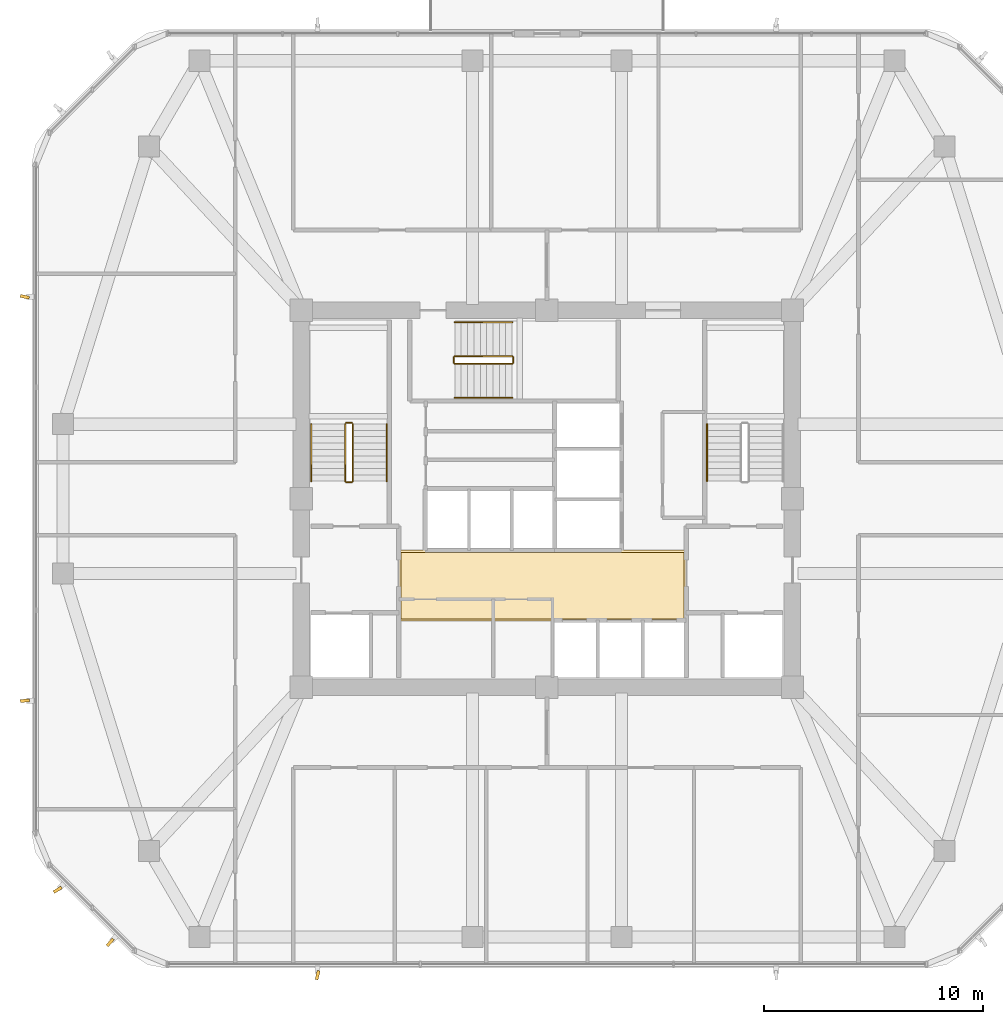
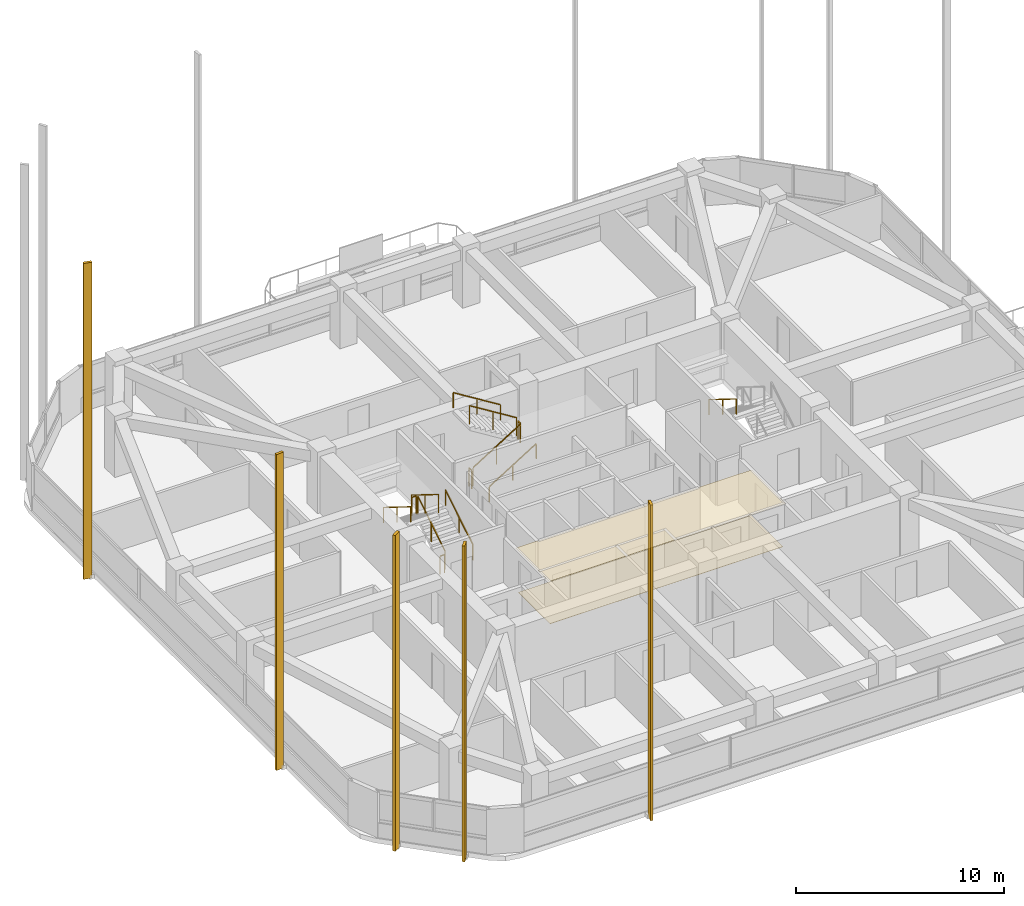
# One storey, part 12 of 14: 13 railings, 5 shading devices, 2 coverings.
"""IFC4 building model written with IfcOpenShell, lengths in metres."""

from ifc_helpers import new_model, si_unit, derived_unit, direction, frame, origin, origin_2d, place, context, subcontext, project, spatial, polyline, rectangle, outline, extrude, material, layer, layer_set, type_object, element, save


model = new_model("IFC4")

# Units and contexts
model_context = context("Model", 3, precision=1e-05, world=origin(), true_north=direction((0.0, 1.0)))
body_context = subcontext(model_context, "Body", "Model", "MODEL_VIEW")
ifc_project = project(units=[si_unit("LENGTHUNIT", "METRE"), si_unit("AREAUNIT", "SQUARE_METRE"), si_unit("VOLUMEUNIT", "CUBIC_METRE"), si_unit("PLANEANGLEUNIT", "RADIAN"), si_unit("MASSUNIT", "GRAM", prefix="KILO"), derived_unit("THERMALTRANSMITTANCEUNIT", [(si_unit("POWERUNIT", "WATT"), 1), (si_unit("LENGTHUNIT", "METRE"), -2), (si_unit("THERMODYNAMICTEMPERATUREUNIT", "KELVIN"), -1)])], contexts=[model_context])

# Site, building, storey
site_placement = place(None, origin())
site = spatial("IfcSite", under=ifc_project, at=site_placement, CompositionType="ELEMENT")
building_placement = place(site_placement, origin())
building = spatial("IfcBuilding", under=site, at=building_placement, Name="Koralith Skygarden Medical Center", CompositionType="ELEMENT")
storey_placement = place(building_placement, frame((0.0, 0.0, 174.419921875)))
storey = spatial("IfcBuildingStorey", under=building, at=storey_placement, Name="L45", CompositionType="ELEMENT", Elevation=174.419921875)

# Covering
ifc_material_1 = material(Name="Acoustic Mineral Tile")
ifc_layer_1 = layer(ifc_material_1, 0.02001953125)
ifc_layer_set_1 = layer_set([ifc_layer_1], Name="Acoustic Mineral Tile")
covering_type_1 = type_object("IfcCoveringType", Name="Acoustic Hygienic Mineral Ceiling 20", PredefinedType="CEILING", material=ifc_layer_set_1)
covering_1_placement = place(storey_placement, frame((0.0, 0.0, 2.565185546875)))
element("IfcCovering", 1, at=covering_1_placement, inside=storey, type_object=covering_type_1, Name="L45 Core Lobby Acoustic Ceiling", PredefinedType="CEILING", context=body_context, shape_type="SweptSolid", body=[
    extrude(outline(polyline([(30.25, 20.320068359375), (43.35009765625, 20.320068359375), (43.35009765625, 23.56005859375), (30.25, 23.56005859375), (30.25, 20.320068359375)])), origin(), (0.0, 0.0, 1.0), 0.019775390625),
])

# Shading devices
ifc_material_2 = material(Name="Aluminium 6063-T6", Category="aluminium")
shading_device_type = type_object("IfcShadingDeviceType", Name="Limestone-Clad Solar Storm Fin 420", PredefinedType="USERDEFINED", material=ifc_material_2)
for number, where, z_axis, x_axis, name in (
    (2, (26.5400390625, 4.169921875, -0.19970703125), (0.0, 0.0, 1.0), (-0.231646033372, -0.972800141459, 0.0), "L45 S Harmonic Solar Storm Fin 1"),
    (3, (13.18603515625, 35.110107421875, -0.19970703125), (0.0, 0.0, 1.0), (-0.972800141459, 0.231646033372, 0.0), "L45 W Harmonic Solar Storm Fin 1"),
    (4, (13.18603515625, 16.68994140625, -0.19970703125), (0.0, 0.0, 1.0), (-0.997486745986, -0.070853310317, 0.0), "L45 W Harmonic Solar Storm Fin 2"),
    (5, (14.68408203125, 8.06591796875, -0.19970703125), (0.0, 0.0, 1.0), (-0.851672057797, -0.524075095733, 0.0), "L45 SW Harmonic Solar Storm Fin 1"),
    (6, (17.08203125, 5.66796875, -0.19970703125), (0.0, 0.0, 1.0), (-0.655228786036, -0.755430498425, 0.0), "L45 SW Harmonic Solar Storm Fin 2"),
):
    element("IfcShadingDevice", number, at=place(storey_placement, frame(where, z_axis=z_axis, x_axis=x_axis)), inside=storey, type_object=shading_device_type, Name=name, ObjectType="SOLAR FIN", PredefinedType="USERDEFINED", context=body_context, shape_type="SweptSolid", body=[
        extrude(rectangle(XDim=0.419921875, YDim=0.139892578125, at=origin_2d()), origin(), (0.0, 0.0, 1.0), 18.510009765625),
    ])

# Covering
ifc_material_3 = material(Name="Medical Terrazzo Flooring")
ifc_layer_2 = layer(ifc_material_3, 0.014892578125)
ifc_layer_set_2 = layer_set([ifc_layer_2], Name="Medical Terrazzo Flooring")
covering_type_2 = type_object("IfcCoveringType", Name="Seamless Antimicrobial Terrazzo Flooring 15", PredefinedType="FLOORING", material=ifc_layer_set_2)
covering_2_placement = place(storey_placement, origin())
element("IfcCovering", 7, at=covering_2_placement, inside=storey, type_object=covering_type_2, Name="L45 Core Lobby Terrazzo Flooring", PredefinedType="FLOORING", context=body_context, shape_type="SweptSolid", body=[
    extrude(outline(polyline([(30.35009765625, 20.419921875), (43.25, 20.419921875), (43.25, 23.4599609375), (30.35009765625, 23.4599609375), (30.35009765625, 20.419921875)])), origin(), (0.0, 0.0, 1.0), 0.01513671875),
])

# Railings
ifc_material_4 = material(Name="Steel ASTM A500 Grade C", Category="steel")
railing_type_1 = type_object("IfcRailingType", Name="Stair Flight Tubular Handrail 920", PredefinedType="HANDRAIL", material=ifc_material_4)
railing_1_placement = place(storey_placement, frame((29.699951171875, 26.699951171875, 0.18017578125)))
element("IfcRailing", 8, at=railing_1_placement, inside=storey, type_object=railing_type_1, Name="L45 ST1 stair handrail 1", PredefinedType="HANDRAIL", context=body_context, shape_type="SweptSolid", body=[
    extrude(rectangle(XDim=0.050048828125, YDim=0.050048828125, at=origin_2d()), frame((0.0, 0.001708984375, 0.89599609375), z_axis=(0.0, 0.849668407637, 0.527317358963), x_axis=(-1.0, 0.0, 0.0)), (0.0, 0.0, 1.0), 3.06787109375),
    extrude(rectangle(XDim=0.0419921875, YDim=0.0419921875, at=origin_2d()), origin(), (0.0, 0.0, 1.0), 0.867919921875),
    extrude(rectangle(XDim=0.0419921875, YDim=0.0419921875, at=origin_2d()), frame((0.0, 1.30517578125, 0.81005859375)), (0.0, 0.0, 1.0), 0.867919921875),
    extrude(rectangle(XDim=0.0419921875, YDim=0.0419921875, at=origin_2d()), frame((0.0, 2.610107421875, 1.619873046875)), (0.0, 0.0, 1.0), 0.867919921875),
])
for number, where, name in (
    (9, (26.25, 29.31005859375, 1.97998046875), "L45 ST1 stair handrail 2"),
    (10, (44.300048828125, 29.31005859375, 1.97998046875), "L45 ST2 stair handrail 2"),
):
    element("IfcRailing", number, at=place(storey_placement, frame(where)), inside=storey, type_object=railing_type_1, Name=name, PredefinedType="HANDRAIL", context=body_context, shape_type="SweptSolid", body=[
        extrude(rectangle(XDim=0.050048828125, YDim=0.050048828125, at=origin_2d()), frame((0.0, -0.001708984375, 0.89599609375), z_axis=(0.0, -0.849632798774, 0.527374731332), x_axis=(1.0, 0.0, 0.0)), (0.0, 0.0, 1.0), 3.068115234375),
        extrude(rectangle(XDim=0.0419921875, YDim=0.0419921875, at=origin_2d()), origin(), (0.0, 0.0, 1.0), 0.867919921875),
        extrude(rectangle(XDim=0.0419921875, YDim=0.0419921875, at=origin_2d()), frame((0.0, -1.30517578125, 0.81005859375)), (0.0, 0.0, 1.0), 0.867919921875),
        extrude(rectangle(XDim=0.0419921875, YDim=0.0419921875, at=origin_2d()), frame((0.0, -2.610107421875, 1.6201171875)), (0.0, 0.0, 1.0), 0.867919921875),
    ])
railing_2_placement = place(storey_placement, frame((32.800048828125, 30.5, 0.18017578125)))
element("IfcRailing", 11, at=railing_2_placement, inside=storey, type_object=railing_type_1, Name="L45 ST3 stair handrail 1", PredefinedType="HANDRAIL", context=body_context, shape_type="SweptSolid", body=[
    extrude(rectangle(XDim=0.050048828125, YDim=0.050048828125, at=origin_2d()), frame((0.001708984375, 0.0, 0.89599609375), z_axis=(0.849646306263, 0.0, 0.527352969322), x_axis=(0.0, 1.0, 0.0)), (0.0, 0.0, 1.0), 3.067626953125),
    extrude(rectangle(XDim=0.0419921875, YDim=0.0419921875, at=origin_2d()), origin(), (0.0, 0.0, 1.0), 0.867919921875),
    extrude(rectangle(XDim=0.0419921875, YDim=0.0419921875, at=origin_2d()), frame((1.304931640625, 0.0, 0.81005859375)), (0.0, 0.0, 1.0), 0.867919921875),
    extrude(rectangle(XDim=0.0419921875, YDim=0.0419921875, at=origin_2d()), frame((2.60986328125, 0.0, 1.619873046875)), (0.0, 0.0, 1.0), 0.867919921875),
])
railing_3_placement = place(storey_placement, frame((35.409912109375, 33.949951171875, 1.97998046875)))
element("IfcRailing", 12, at=railing_3_placement, inside=storey, type_object=railing_type_1, Name="L45 ST3 stair handrail 2", PredefinedType="HANDRAIL", context=body_context, shape_type="SweptSolid", body=[
    extrude(rectangle(XDim=0.050048828125, YDim=0.050048828125, at=origin_2d()), frame((-0.001708984375, 0.0, 0.89599609375), z_axis=(-0.849610693518, 0.0, 0.52741034258), x_axis=(0.0, -1.0, 0.0)), (0.0, 0.0, 1.0), 3.06787109375),
    extrude(rectangle(XDim=0.0419921875, YDim=0.0419921875, at=origin_2d()), origin(), (0.0, 0.0, 1.0), 0.867919921875),
    extrude(rectangle(XDim=0.0419921875, YDim=0.0419921875, at=origin_2d()), frame((-1.304931640625, 0.0, 0.81005859375)), (0.0, 0.0, 1.0), 0.867919921875),
    extrude(rectangle(XDim=0.0419921875, YDim=0.0419921875, at=origin_2d()), frame((-2.60986328125, 0.0, 1.6201171875)), (0.0, 0.0, 1.0), 0.867919921875),
])
railing_type_2 = type_object("IfcRailingType", Name="Stair Well Safety Guardrail 1100", PredefinedType="GUARDRAIL", material=ifc_material_4)
railing_4_placement = place(storey_placement, frame((28.14990234375, 26.699951171875, 0.18017578125)))
element("IfcRailing", 13, at=railing_4_placement, inside=storey, type_object=railing_type_2, Name="L45 ST1 stair guard 1", PredefinedType="GUARDRAIL", context=body_context, shape_type="SweptSolid", body=[
    extrude(rectangle(XDim=0.050048828125, YDim=0.050048828125, at=origin_2d()), frame((0.0, 0.001708984375, 1.076171875), z_axis=(0.0, 0.849668407637, 0.527317358963), x_axis=(-1.0, 0.0, 0.0)), (0.0, 0.0, 1.0), 3.06787109375),
    extrude(rectangle(XDim=0.0419921875, YDim=0.0419921875, at=origin_2d()), origin(), (0.0, 0.0, 1.0), 1.048095703125),
    extrude(rectangle(XDim=0.0419921875, YDim=0.0419921875, at=origin_2d()), frame((0.0, 1.30517578125, 0.81005859375)), (0.0, 0.0, 1.0), 1.048095703125),
    extrude(rectangle(XDim=0.0419921875, YDim=0.0419921875, at=origin_2d()), frame((0.0, 2.610107421875, 1.619873046875)), (0.0, 0.0, 1.0), 1.048095703125),
])
railing_5_placement = place(storey_placement, frame((28.10009765625, 29.360107421875, 1.800048828125)))
element("IfcRailing", 14, at=railing_5_placement, inside=storey, type_object=railing_type_2, Name="L45 ST1 stair guard 2", PredefinedType="GUARDRAIL", context=body_context, shape_type="SweptSolid", body=[
    extrude(rectangle(XDim=0.050048828125, YDim=0.050048828125, at=origin_2d()), frame((-0.001953125, 0.0, 1.0751953125), z_axis=(-1.0, 0.0, 0.0), x_axis=(0.0, -1.0, 0.0)), (0.0, 0.0, 1.0), 0.24609375),
    extrude(rectangle(XDim=0.0419921875, YDim=0.0419921875, at=origin_2d()), origin(), (0.0, 0.0, 1.0), 1.048095703125),
    extrude(rectangle(XDim=0.0419921875, YDim=0.0419921875, at=origin_2d()), frame((-0.25, 0.0, 0.0)), (0.0, 0.0, 1.0), 1.048095703125),
])
railing_6_placement = place(storey_placement, frame((27.800048828125, 29.31005859375, 1.97998046875)))
element("IfcRailing", 15, at=railing_6_placement, inside=storey, type_object=railing_type_2, Name="L45 ST1 stair guard 3", PredefinedType="GUARDRAIL", context=body_context, shape_type="SweptSolid", body=[
    extrude(rectangle(XDim=0.050048828125, YDim=0.050048828125, at=origin_2d()), frame((0.0, -0.001708984375, 1.076171875), z_axis=(0.0, -0.849632798774, 0.527374731332), x_axis=(1.0, 0.0, 0.0)), (0.0, 0.0, 1.0), 3.068115234375),
    extrude(rectangle(XDim=0.0419921875, YDim=0.0419921875, at=origin_2d()), origin(), (0.0, 0.0, 1.0), 1.048095703125),
    extrude(rectangle(XDim=0.0419921875, YDim=0.0419921875, at=origin_2d()), frame((0.0, -1.30517578125, 0.81005859375)), (0.0, 0.0, 1.0), 1.048095703125),
    extrude(rectangle(XDim=0.0419921875, YDim=0.0419921875, at=origin_2d()), frame((0.0, -2.610107421875, 1.6201171875)), (0.0, 0.0, 1.0), 1.048095703125),
])
railing_7_placement = place(storey_placement, frame((28.10009765625, 26.64990234375, 0.0)))
element("IfcRailing", 16, at=railing_7_placement, inside=storey, type_object=railing_type_2, Name="L45 ST1 stair guard 4", PredefinedType="GUARDRAIL", context=body_context, shape_type="SweptSolid", body=[
    extrude(rectangle(XDim=0.050048828125, YDim=0.050048828125, at=origin_2d()), frame((-0.001953125, 0.0, 1.0751953125), z_axis=(-1.0, 0.0, 0.0), x_axis=(0.0, -1.0, 0.0)), (0.0, 0.0, 1.0), 0.24609375),
    extrude(rectangle(XDim=0.0419921875, YDim=0.0419921875, at=origin_2d()), origin(), (0.0, 0.0, 1.0), 1.048095703125),
    extrude(rectangle(XDim=0.0419921875, YDim=0.0419921875, at=origin_2d()), frame((-0.25, 0.0, 0.0)), (0.0, 0.0, 1.0), 1.048095703125),
])
railing_8_placement = place(storey_placement, frame((32.800048828125, 32.050048828125, 0.18017578125)))
element("IfcRailing", 17, at=railing_8_placement, inside=storey, type_object=railing_type_2, Name="L45 ST3 stair guard 1", PredefinedType="GUARDRAIL", context=body_context, shape_type="SweptSolid", body=[
    extrude(rectangle(XDim=0.050048828125, YDim=0.050048828125, at=origin_2d()), frame((0.001708984375, 0.0, 1.076171875), z_axis=(0.849646306263, 0.0, 0.527352969322), x_axis=(0.0, 1.0, 0.0)), (0.0, 0.0, 1.0), 3.067626953125),
    extrude(rectangle(XDim=0.0419921875, YDim=0.0419921875, at=origin_2d()), origin(), (0.0, 0.0, 1.0), 1.048095703125),
    extrude(rectangle(XDim=0.0419921875, YDim=0.0419921875, at=origin_2d()), frame((1.304931640625, 0.0, 0.81005859375)), (0.0, 0.0, 1.0), 1.048095703125),
    extrude(rectangle(XDim=0.0419921875, YDim=0.0419921875, at=origin_2d()), frame((2.60986328125, 0.0, 1.619873046875)), (0.0, 0.0, 1.0), 1.048095703125),
])
railing_9_placement = place(storey_placement, frame((35.4599609375, 32.10009765625, 1.800048828125)))
element("IfcRailing", 18, at=railing_9_placement, inside=storey, type_object=railing_type_2, Name="L45 ST3 stair guard 2", PredefinedType="GUARDRAIL", context=body_context, shape_type="SweptSolid", body=[
    extrude(rectangle(XDim=0.050048828125, YDim=0.050048828125, at=origin_2d()), frame((0.0, 0.001953125, 1.0751953125), z_axis=(0.0, 1.0, 0.0), x_axis=(-1.0, 0.0, 0.0)), (0.0, 0.0, 1.0), 0.24609375),
    extrude(rectangle(XDim=0.0419921875, YDim=0.0419921875, at=origin_2d()), origin(), (0.0, 0.0, 1.0), 1.048095703125),
    extrude(rectangle(XDim=0.0419921875, YDim=0.0419921875, at=origin_2d()), frame((0.0, 0.25, 0.0)), (0.0, 0.0, 1.0), 1.048095703125),
])
railing_10_placement = place(storey_placement, frame((35.409912109375, 32.39990234375, 1.97998046875)))
element("IfcRailing", 19, at=railing_10_placement, inside=storey, type_object=railing_type_2, Name="L45 ST3 stair guard 3", PredefinedType="GUARDRAIL", context=body_context, shape_type="SweptSolid", body=[
    extrude(rectangle(XDim=0.050048828125, YDim=0.050048828125, at=origin_2d()), frame((-0.001708984375, 0.0, 1.076171875), z_axis=(-0.849610693518, 0.0, 0.52741034258), x_axis=(0.0, -1.0, 0.0)), (0.0, 0.0, 1.0), 3.06787109375),
    extrude(rectangle(XDim=0.0419921875, YDim=0.0419921875, at=origin_2d()), origin(), (0.0, 0.0, 1.0), 1.048095703125),
    extrude(rectangle(XDim=0.0419921875, YDim=0.0419921875, at=origin_2d()), frame((-1.304931640625, 0.0, 0.81005859375)), (0.0, 0.0, 1.0), 1.048095703125),
    extrude(rectangle(XDim=0.0419921875, YDim=0.0419921875, at=origin_2d()), frame((-2.60986328125, 0.0, 1.6201171875)), (0.0, 0.0, 1.0), 1.048095703125),
])
railing_11_placement = place(storey_placement, frame((32.75, 32.10009765625, 0.0)))
element("IfcRailing", 20, at=railing_11_placement, inside=storey, type_object=railing_type_2, Name="L45 ST3 stair guard 4", PredefinedType="GUARDRAIL", context=body_context, shape_type="SweptSolid", body=[
    extrude(rectangle(XDim=0.050048828125, YDim=0.050048828125, at=origin_2d()), frame((0.0, 0.001953125, 1.0751953125), z_axis=(0.0, 1.0, 0.0), x_axis=(-1.0, 0.0, 0.0)), (0.0, 0.0, 1.0), 0.24609375),
    extrude(rectangle(XDim=0.0419921875, YDim=0.0419921875, at=origin_2d()), origin(), (0.0, 0.0, 1.0), 1.048095703125),
    extrude(rectangle(XDim=0.0419921875, YDim=0.0419921875, at=origin_2d()), frame((0.0, 0.25, 0.0)), (0.0, 0.0, 1.0), 1.048095703125),
])

save(model, "model.ifc")
